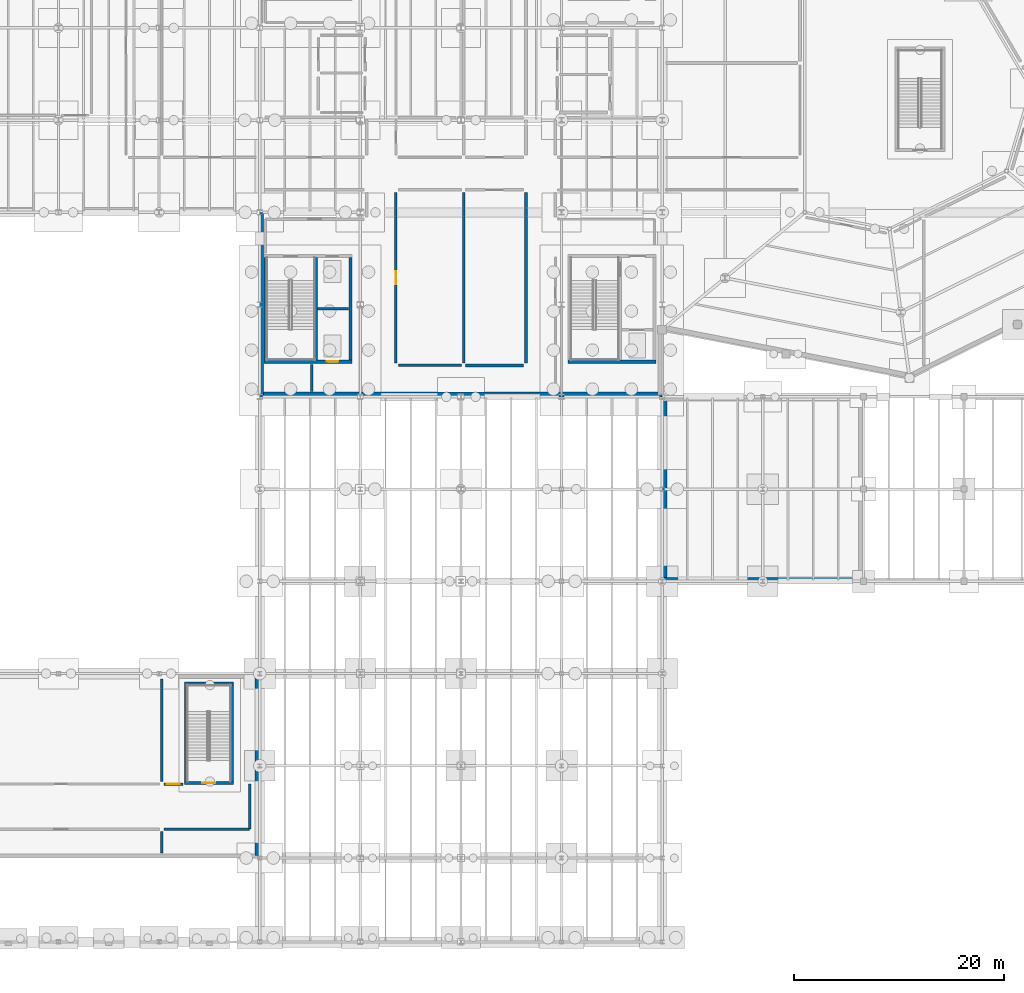
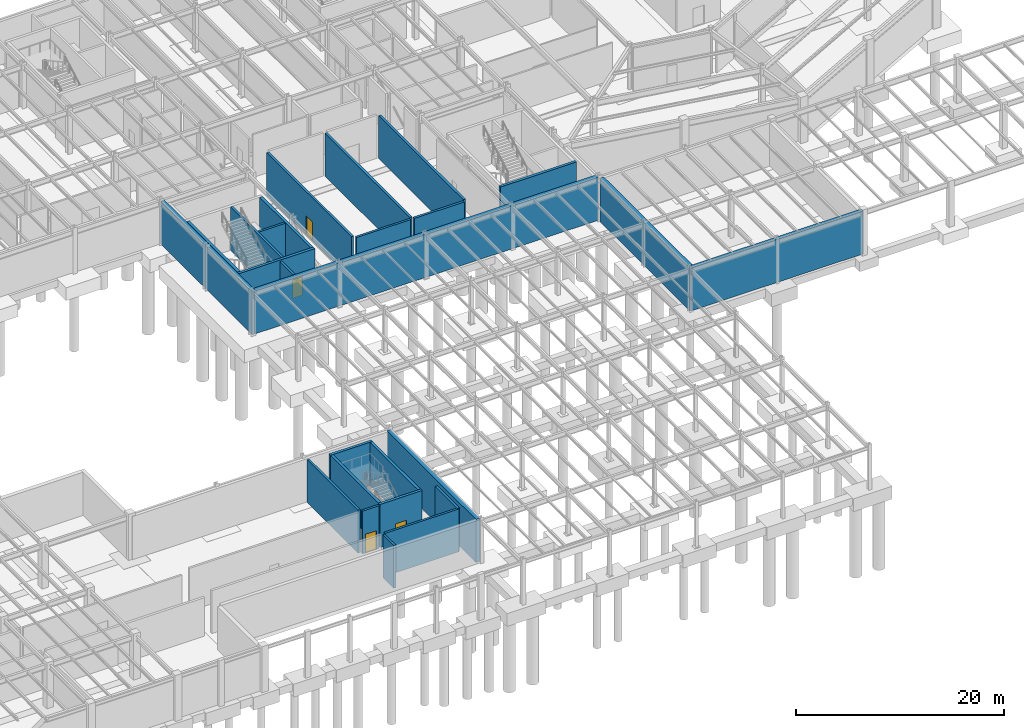
# One storey, part 32 of 48: 26 walls, 4 doors, 4 openings.
"""IFC4 building model written with IfcOpenShell, lengths in metres."""

from ifc_helpers import new_model, si_unit, direction, frame, frame_2d, origin, place, context, subcontext, project, spatial, rectangle, extrude, material, layer, layer_set, type_object, element, fill, save


model = new_model("IFC4")

# Units and contexts
model_context = context("Model", 3, precision=1e-05, world=origin(), true_north=direction((0.0, 1.0)))
body_context = subcontext(model_context, "Body", "Model", "MODEL_VIEW")
ifc_project = project(units=[si_unit("LENGTHUNIT", "METRE"), si_unit("AREAUNIT", "SQUARE_METRE"), si_unit("VOLUMEUNIT", "CUBIC_METRE"), si_unit("PLANEANGLEUNIT", "RADIAN"), si_unit("MASSUNIT", "GRAM", prefix="KILO")], contexts=[model_context])

# Site, building, storey
site_placement = place(None, origin())
site = spatial("IfcSite", under=ifc_project, at=site_placement, CompositionType="ELEMENT")
building_placement = place(site_placement, origin())
building = spatial("IfcBuilding", under=site, at=building_placement, Name="Sarnbrook Museum", CompositionType="ELEMENT")
storey_placement = place(building_placement, frame((0.0, 0.0, -5.39990234375)))
storey = spatial("IfcBuildingStorey", under=building, at=storey_placement, Name="B1", CompositionType="ELEMENT", Elevation=-5.39990234375)

# Wall
ifc_material_1 = material(Name="Concrete N50 (AS 3600, f'c = 50 MPa)", Category="concrete")
ifc_layer_1 = layer(ifc_material_1, 0.300048828125)
ifc_layer_set_1 = layer_set([ifc_layer_1], Name="Concrete N50 (AS 3600, f'c = 50 MPa)")
wall_type_1 = type_object("IfcWallType", Name="CoreWall_CWRC", PredefinedType="SHEAR", material=ifc_layer_set_1)
wall_1_placement = place(storey_placement, frame((110.199951171875, 60.14990234375, 0.0), z_axis=(0.0, 0.0, 1.0), x_axis=(1.0, 0.0, 0.0)))
element("IfcWall", 1, at=wall_1_placement, inside=storey, type_object=wall_type_1, Name="Core C1 Shear Wall S B1", PredefinedType="SHEAR", context=body_context, shape_type="SweptSolid", body=[
    extrude(rectangle(XDim=8.400146484375, YDim=0.300048828125, at=frame_2d((4.2001953125, 0.0))), origin(), (0.0, 0.0, 1.0), 5.094970703125),
])

# Wall, opening, door
wall_2_placement = place(storey_placement, frame((81.199951171875, 60.14990234375, 0.0), z_axis=(0.0, 0.0, 1.0), x_axis=(1.0, 0.0, 0.0)))
wall_2 = element("IfcWall", 2, at=wall_2_placement, inside=storey, type_object=wall_type_1, Name="Core C3 Shear Wall S B1", PredefinedType="SHEAR", context=body_context, shape_type="SweptSolid", body=[
    extrude(rectangle(XDim=8.400146484375, YDim=0.300048828125, at=frame_2d((4.2001953125, 0.0))), origin(), (0.0, 0.0, 1.0), 5.094970703125),
])
opening_1_placement = place(wall_2_placement, frame((6.0, 0.0, 0.0)))
opening_1 = element("IfcOpeningElement", 3, at=opening_1_placement, cuts=wall_2, Name="Opening LD-PL1-B1", PredefinedType="OPENING", context=body_context, shape_type="SweptSolid", body=[
    extrude(rectangle(XDim=1.10009765625, YDim=2.199951171875, at=frame_2d((0.550048828125, 1.10009765625))), frame((0.0, 0.16015625, 0.0), z_axis=(0.0, -1.0, 0.0), x_axis=(1.0, 0.0, 0.0)), (0.0, 0.0, 1.0), 0.320068359375),
])
ifc_material_2 = material(Name="Brushed Stainless Steel Grade 316", Category="steel")
door_type_1 = type_object("IfcDoorType", Name="LiftDoor_Pax110", OperationType="DOUBLE_DOOR_SLIDING", PredefinedType="DOOR", material=ifc_material_2)
door_1_placement = place(opening_1_placement, origin())
door_1 = element("IfcDoor", 4, at=door_1_placement, inside=storey, type_object=door_type_1, Name="Lift Landing Sliding Door LD-PL1-B1", OperationType="DOUBLE_DOOR_SLIDING", OverallHeight=2.199951171875, OverallWidth=1.10009765625, PredefinedType="DOOR", context=body_context, shape_type="SweptSolid", body=[
    extrude(rectangle(XDim=1.10009765625, YDim=2.199951171875, at=frame_2d((0.550048828125, 1.10009765625))), frame((0.0, 0.02490234375, 0.0), z_axis=(0.0, -1.0, 0.0), x_axis=(1.0, 0.0, 0.0)), (0.0, 0.0, 1.0), 0.050048828125),
])
fill(opening_1, door_1)

# Walls
for number, where, z_axis, x_axis, name in (
    (5, (89.449951171875, 60.31005859375, 0.0), (0.0, 0.0, 1.0), (0.0, 1.0, 0.0), "Core C3 Shear Wall E B1"),
    (6, (81.35009765625, 70.090087890625, 0.0), (0.0, 0.0, 1.0), (0.0, -1.0, 0.0), "Core C3 Shear Wall W B1"),
):
    element("IfcWall", number, at=place(storey_placement, frame(where, z_axis=z_axis, x_axis=x_axis)), inside=storey, type_object=wall_type_1, Name=name, PredefinedType="SHEAR", context=body_context, shape_type="SweptSolid", body=[
        extrude(rectangle(XDim=9.780029296875, YDim=0.300048828125, at=frame_2d((4.89013671875, 0.0))), origin(), (0.0, 0.0, 1.0), 5.094970703125),
    ])

# Wall, opening, door
wall_3_placement = place(storey_placement, frame((73.60009765625, 19.949951171875, 0.0), z_axis=(0.0, 0.0, 1.0), x_axis=(1.0, 0.0, 0.0)))
wall_3 = element("IfcWall", 7, at=wall_3_placement, inside=storey, type_object=wall_type_1, Name="Core C8 Shear Wall S B1", PredefinedType="SHEAR", context=body_context, shape_type="SweptSolid", body=[
    extrude(rectangle(XDim=4.679931640625, YDim=0.300048828125, at=frame_2d((2.33984375, 0.0))), origin(), (0.0, 0.0, 1.0), 5.074951171875),
])
opening_2_placement = place(wall_3_placement, frame((1.715087890625, 0.0, 0.0)))
opening_2 = element("IfcOpeningElement", 8, at=opening_2_placement, cuts=wall_3, Name="Opening D-ST-ST8-B1", PredefinedType="OPENING", context=body_context, shape_type="SweptSolid", body=[
    extrude(rectangle(XDim=1.25, YDim=2.199951171875, at=frame_2d((0.625, 1.10009765625))), frame((0.0, 0.16015625, 0.0), z_axis=(0.0, -1.0, 0.0), x_axis=(1.0, 0.0, 0.0)), (0.0, 0.0, 1.0), 0.320068359375),
])
ifc_material_3 = material(Name="Tasmanian Oak Acoustic Timber", Category="wood")
door_type_2 = type_object("IfcDoorType", Name="FireDoor_FD120", OperationType="NOTDEFINED", PredefinedType="DOOR", material=ifc_material_3)
door_2_placement = place(opening_2_placement, origin())
door_2 = element("IfcDoor", 9, at=door_2_placement, inside=storey, type_object=door_type_2, Name="Exit Stair ST8 Fire Door B1", OperationType="SINGLE_SWING_RIGHT", OverallHeight=2.199951171875, OverallWidth=1.25, PredefinedType="DOOR", context=body_context, shape_type="SweptSolid", body=[
    extrude(rectangle(XDim=1.25, YDim=2.199951171875, at=frame_2d((0.625, 1.10009765625))), frame((0.0, 0.02490234375, 0.0), z_axis=(0.0, -1.0, 0.0), x_axis=(1.0, 0.0, 0.0)), (0.0, 0.0, 1.0), 0.050048828125),
])
fill(opening_2, door_2)

# Walls
wall_4_placement = place(storey_placement, frame((78.280029296875, 29.449951171875, 0.0), z_axis=(0.0, 0.0, 1.0), x_axis=(-1.0, 0.0, 0.0)))
element("IfcWall", 10, at=wall_4_placement, inside=storey, type_object=wall_type_1, Name="Core C8 Shear Wall N B1", PredefinedType="SHEAR", context=body_context, shape_type="SweptSolid", body=[
    extrude(rectangle(XDim=4.679931640625, YDim=0.300048828125, at=frame_2d((2.33984375, 0.0))), origin(), (0.0, 0.0, 1.0), 5.074951171875),
])
for number, where, z_axis, x_axis, name in (
    (11, (78.1298828125, 20.110107421875, 0.0), (0.0, 0.0, 1.0), (0.0, 1.0, 0.0), "Core C8 Shear Wall E B1"),
    (12, (73.75, 29.2900390625, 0.0), (0.0, 0.0, 1.0), (0.0, -1.0, 0.0), "Core C8 Shear Wall W B1"),
):
    element("IfcWall", number, at=place(storey_placement, frame(where, z_axis=z_axis, x_axis=x_axis)), inside=storey, type_object=wall_type_1, Name=name, PredefinedType="SHEAR", context=body_context, shape_type="SweptSolid", body=[
        extrude(rectangle(XDim=9.179931640625, YDim=0.300048828125, at=frame_2d((4.58984375, 0.0))), origin(), (0.0, 0.0, 1.0), 5.074951171875),
    ])
ifc_material_4 = material(Name="Concrete N40 (AS 3600, f'c = 40 MPa)", Category="concrete")
ifc_layer_2 = layer(ifc_material_4, 0.260009765625)
ifc_layer_set_2 = layer_set([ifc_layer_2], Name="Concrete N40 (AS 3600, f'c = 40 MPa)")
wall_type_2 = type_object("IfcWallType", Name="FireWall_FW240", PredefinedType="SOLIDWALL", material=ifc_layer_set_2)
wall_5_placement = place(storey_placement, frame((106.199951171875, 76.320068359375, 0.0), z_axis=(0.0, 0.0, 1.0), x_axis=(0.0, -1.0, 0.0)))
element("IfcWall", 13, at=wall_5_placement, inside=storey, type_object=wall_type_2, Name="Interior Partition Wall B1-0052", PredefinedType="SOLIDWALL", context=body_context, shape_type="SweptSolid", body=[
    extrude(rectangle(XDim=16.2900390625, YDim=0.260009765625, at=frame_2d((8.14501953125, 0.0))), origin(), (0.0, 0.0, 1.0), 5.02978515625),
])
wall_6_placement = place(storey_placement, frame((105.969970703125, 59.800048828125, 0.0), z_axis=(0.0, 0.0, 1.0), x_axis=(-1.0, 0.0, 0.0)))
element("IfcWall", 14, at=wall_6_placement, inside=storey, type_object=wall_type_2, Name="Interior Partition Wall B1-0053", PredefinedType="SOLIDWALL", context=body_context, shape_type="SweptSolid", body=[
    extrude(rectangle(XDim=5.52001953125, YDim=0.260009765625, at=frame_2d((2.760009765625, 0.0))), origin(), (0.0, 0.0, 1.0), 5.02978515625),
])
wall_7_placement = place(storey_placement, frame((100.260009765625, 76.320068359375, 0.0), z_axis=(0.0, 0.0, 1.0), x_axis=(0.0, -1.0, 0.0)))
element("IfcWall", 15, at=wall_7_placement, inside=storey, type_object=wall_type_2, Name="Interior Partition Wall B1-0121", PredefinedType="SOLIDWALL", context=body_context, shape_type="SweptSolid", body=[
    extrude(rectangle(XDim=16.2900390625, YDim=0.260009765625, at=frame_2d((8.14501953125, 0.0))), origin(), (0.0, 0.0, 1.0), 5.02978515625),
])
ifc_layer_3 = layer(ifc_material_4, 0.239990234375)
ifc_layer_set_3 = layer_set([ifc_layer_3], Name="Concrete N40 (AS 3600, f'c = 40 MPa)")
wall_type_3 = type_object("IfcWallType", Name="ShaftWall_SWRC", PredefinedType="SOLIDWALL", material=ifc_layer_set_3)
wall_8_placement = place(storey_placement, frame((86.18994140625, 60.31005859375, 0.0), z_axis=(0.0, 0.0, 1.0), x_axis=(0.0, 1.0, 0.0)))
element("IfcWall", 16, at=wall_8_placement, inside=storey, type_object=wall_type_3, Name="Stairwell ST3 Fire Shaft Wall B1", PredefinedType="SOLIDWALL", context=body_context, shape_type="SweptSolid", body=[
    extrude(rectangle(XDim=9.780029296875, YDim=0.239990234375, at=frame_2d((4.89013671875, 0.0))), origin(), (0.0, 0.0, 1.0), 5.094970703125),
])
wall_9_placement = place(storey_placement, frame((86.320068359375, 65.199951171875, 0.0), z_axis=(0.0, 0.0, 1.0), x_axis=(1.0, 0.0, 0.0)))
element("IfcWall", 17, at=wall_9_placement, inside=storey, type_object=wall_type_3, Name="Core C3 Twin Lift Divider Wall B1", PredefinedType="SOLIDWALL", context=body_context, shape_type="SweptSolid", body=[
    extrude(rectangle(XDim=2.969970703125, YDim=0.239990234375, at=frame_2d((1.48486328125, 0.0))), origin(), (0.0, 0.0, 1.0), 5.094970703125),
])
wall_10_placement = place(storey_placement, frame((85.75, 59.8798828125, 0.0), z_axis=(0.0, 0.0, 1.0), x_axis=(0.0, -1.0, 0.0)))
element("IfcWall", 18, at=wall_10_placement, inside=storey, type_object=wall_type_3, Name="Interior Partition Wall B1-0031", PredefinedType="SOLIDWALL", context=body_context, shape_type="SweptSolid", body=[
    extrude(rectangle(XDim=2.5498046875, YDim=0.239990234375, at=frame_2d((1.27490234375, 0.0))), origin(), (0.0, 0.0, 1.0), 5.02978515625),
])

# Wall, opening, door
wall_11_placement = place(storey_placement, frame((93.800048828125, 60.030029296875, 0.0), z_axis=(0.0, 0.0, 1.0), x_axis=(0.0, 1.0, 0.0)))
wall_11 = element("IfcWall", 19, at=wall_11_placement, inside=storey, type_object=wall_type_3, Name="Interior Partition Wall B1-0041", PredefinedType="SOLIDWALL", context=body_context, shape_type="SweptSolid", body=[
    extrude(rectangle(XDim=16.2900390625, YDim=0.239990234375, at=frame_2d((8.14501953125, 0.0))), origin(), (0.0, 0.0, 1.0), 5.02978515625),
])
opening_3_placement = place(wall_11_placement, frame((7.52001953125, 0.0, 0.0)))
opening_3 = element("IfcOpeningElement", 20, at=opening_3_placement, cuts=wall_11, Name="Opening D-B1-014", PredefinedType="OPENING", context=body_context, shape_type="SweptSolid", body=[
    extrude(rectangle(XDim=1.25, YDim=2.199951171875, at=frame_2d((0.625, 1.10009765625))), frame((0.0, 0.1298828125, 0.0), z_axis=(0.0, -1.0, 0.0), x_axis=(1.0, 0.0, 0.0)), (0.0, 0.0, 1.0), 0.260009765625),
])
door_3_placement = place(opening_3_placement, origin())
door_3 = element("IfcDoor", 21, at=door_3_placement, inside=storey, type_object=door_type_2, Name="Art Loading Dock B1-9 Door D-B1-014", OperationType="SINGLE_SWING_LEFT", OverallHeight=2.199951171875, OverallWidth=1.25, PredefinedType="DOOR", context=body_context, shape_type="SweptSolid", body=[
    extrude(rectangle(XDim=1.25, YDim=2.199951171875, at=frame_2d((0.625, 1.10009765625))), frame((0.0, 0.02490234375, 0.0), z_axis=(0.0, -1.0, 0.0), x_axis=(1.0, 0.0, 0.0)), (0.0, 0.0, 1.0), 0.050048828125),
])
fill(opening_3, door_3)

# Walls
wall_12_placement = place(storey_placement, frame((100.030029296875, 59.800048828125, 0.0), z_axis=(0.0, 0.0, 1.0), x_axis=(-1.0, 0.0, 0.0)))
element("IfcWall", 22, at=wall_12_placement, inside=storey, type_object=wall_type_3, Name="Interior Partition Wall B1-0043", PredefinedType="SOLIDWALL", context=body_context, shape_type="SweptSolid", body=[
    extrude(rectangle(XDim=6.0, YDim=0.239990234375, at=frame_2d((3.0, 0.0))), origin(), (0.0, 0.0, 1.0), 5.02978515625),
])
wall_13_placement = place(storey_placement, frame((79.85009765625, 15.56005859375, 0.0), z_axis=(0.0, 0.0, 1.0), x_axis=(0.0, 1.0, 0.0)))
element("IfcWall", 23, at=wall_13_placement, inside=storey, type_object=wall_type_3, Name="Interior Partition Wall B1-0064", PredefinedType="SOLIDWALL", context=body_context, shape_type="SweptSolid", body=[
    extrude(rectangle(XDim=4.280029296875, YDim=0.239990234375, at=frame_2d((2.14013671875, 0.0))), origin(), (0.0, 0.0, 1.0), 5.02978515625),
])

# Wall, opening, door
wall_14_placement = place(storey_placement, frame((73.47998046875, 19.85009765625, 0.0), z_axis=(0.0, 0.0, 1.0), x_axis=(-1.0, 0.0, 0.0)))
wall_14 = element("IfcWall", 24, at=wall_14_placement, inside=storey, type_object=wall_type_3, Name="Interior Partition Wall B1-0065", PredefinedType="SOLIDWALL", context=body_context, shape_type="SweptSolid", body=[
    extrude(rectangle(XDim=1.830078125, YDim=0.239990234375, at=frame_2d((0.9150390625, 0.0))), origin(), (0.0, 0.0, 1.0), 5.02978515625),
])
opening_4_placement = place(wall_14_placement, frame((0.2900390625, 0.0, 0.0)))
opening_4 = element("IfcOpeningElement", 25, at=opening_4_placement, cuts=wall_14, Name="Opening D-B1-022", PredefinedType="OPENING", context=body_context, shape_type="SweptSolid", body=[
    extrude(rectangle(XDim=1.25, YDim=2.199951171875, at=frame_2d((0.625, 1.10009765625))), frame((0.0, 0.1298828125, 0.0), z_axis=(0.0, -1.0, 0.0), x_axis=(1.0, 0.0, 0.0)), (0.0, 0.0, 1.0), 0.260009765625),
])
door_4_placement = place(opening_4_placement, frame((1.25, 0.0, 0.0), z_axis=(0.0, 0.0, 1.0), x_axis=(-1.0, 0.0, 0.0)))
door_4 = element("IfcDoor", 26, at=door_4_placement, inside=storey, type_object=door_type_2, Name="Art Loading Dock B1-18 Door D-B1-022", OperationType="SINGLE_SWING_LEFT", OverallHeight=2.199951171875, OverallWidth=1.25, PredefinedType="DOOR", context=body_context, shape_type="SweptSolid", body=[
    extrude(rectangle(XDim=1.25, YDim=2.199951171875, at=frame_2d((0.625, 1.10009765625))), frame((0.0, 0.02490234375, 0.0), z_axis=(0.0, -1.0, 0.0), x_axis=(1.0, 0.0, 0.0)), (0.0, 0.0, 1.0), 0.050048828125),
])
fill(opening_4, door_4)

# Walls
wall_15_placement = place(storey_placement, frame((71.64990234375, 15.550048828125, 0.0), z_axis=(0.0, 0.0, 1.0), x_axis=(1.0, 0.0, 0.0)))
element("IfcWall", 27, at=wall_15_placement, inside=storey, type_object=wall_type_3, Name="Interior Partition Wall B1-0066", PredefinedType="SOLIDWALL", context=body_context, shape_type="SweptSolid", body=[
    extrude(rectangle(XDim=8.190185546875, YDim=0.239990234375, at=frame_2d((4.09521484375, 0.0))), origin(), (0.0, 0.0, 1.0), 5.02978515625),
])
wall_16_placement = place(storey_placement, frame((71.4599609375, 15.320068359375, 0.0), z_axis=(0.0, 0.0, 1.0), x_axis=(0.0, -1.0, 0.0)))
element("IfcWall", 28, at=wall_16_placement, inside=storey, type_object=wall_type_3, Name="Interior Partition Wall B1-0125", PredefinedType="SOLIDWALL", context=body_context, shape_type="SweptSolid", body=[
    extrude(rectangle(XDim=2.06005859375, YDim=0.239990234375, at=frame_2d((1.030029296875, 0.0))), origin(), (0.0, 0.0, 1.0), 5.02978515625),
])
wall_17_placement = place(storey_placement, frame((71.4599609375, 29.8701171875, 0.0), z_axis=(0.0, 0.0, 1.0), x_axis=(0.0, -1.0, 0.0)))
element("IfcWall", 29, at=wall_17_placement, inside=storey, type_object=wall_type_3, Name="Interior Partition Wall B1-0126", PredefinedType="SOLIDWALL", context=body_context, shape_type="SweptSolid", body=[
    extrude(rectangle(XDim=9.7900390625, YDim=0.239990234375, at=frame_2d((4.89501953125, 0.0))), origin(), (0.0, 0.0, 1.0), 5.02978515625),
])
ifc_layer_4 = layer(ifc_material_4, 0.3798828125)
ifc_layer_set_4 = layer_set([ifc_layer_4], Name="Concrete N40 (AS 3600, f'c = 40 MPa)")
wall_type_4 = type_object("IfcWallType", Name="Wall_RetainingRC380", PredefinedType="USERDEFINED", material=ifc_layer_set_4)
wall_18_placement = place(storey_placement, frame((80.989990234375, 74.39990234375, 0.0), z_axis=(0.0, 0.0, 1.0), x_axis=(0.0, -1.0, 0.0)))
element("IfcWall", 30, at=wall_18_placement, inside=storey, type_object=wall_type_4, Name="Basement Perimeter Retaining Wall RW-06", ObjectType="RETAININGWALL", PredefinedType="USERDEFINED", context=body_context, shape_type="SweptSolid", body=[
    extrude(rectangle(XDim=17.599853515625, YDim=0.3798828125, at=frame_2d((8.7998046875, 0.0))), origin(), (0.0, 0.0, 1.0), 5.059814453125),
])
wall_19_placement = place(storey_placement, frame((119.39599609375, 39.389892578125, 0.0), z_axis=(0.0, 0.0, 1.0), x_axis=(1.0, 0.0, 0.0)))
element("IfcWall", 31, at=wall_19_placement, inside=storey, type_object=wall_type_4, Name="Basement Perimeter Retaining Wall RW-30", ObjectType="RETAININGWALL", PredefinedType="USERDEFINED", context=body_context, shape_type="SweptSolid", body=[
    extrude(rectangle(XDim=19.00390625, YDim=0.3798828125, at=frame_2d((9.501953125, 0.0))), origin(), (0.0, 0.0, 1.0), 5.059814453125),
])
ifc_layer_5 = layer(ifc_material_4, 0.449951171875)
ifc_layer_set_5 = layer_set([ifc_layer_5], Name="Concrete N40 (AS 3600, f'c = 40 MPa)")
wall_type_5 = type_object("IfcWallType", Name="Wall_RetainingRC450", PredefinedType="USERDEFINED", material=ifc_layer_set_5)
wall_20_placement = place(storey_placement, frame((81.031005859375, 57.02490234375, 0.0), z_axis=(0.0, 0.0, 1.0), x_axis=(1.0, 0.0, 0.0)))
element("IfcWall", 32, at=wall_20_placement, inside=storey, type_object=wall_type_5, Name="Basement Perimeter Retaining Wall RW-07", ObjectType="RETAININGWALL", PredefinedType="USERDEFINED", context=body_context, shape_type="SweptSolid", body=[
    extrude(rectangle(XDim=38.1689453125, YDim=0.449951171875, at=frame_2d((19.08447265625, 0.0))), origin(), (0.0, 0.0, 1.0), 5.059814453125),
])
wall_21_placement = place(storey_placement, frame((80.574951171875, 13.031005859375, 0.0), z_axis=(0.0, 0.0, 1.0), x_axis=(0.0, 1.0, 0.0)))
element("IfcWall", 33, at=wall_21_placement, inside=storey, type_object=wall_type_5, Name="Basement Perimeter Retaining Wall RW-27", ObjectType="RETAININGWALL", PredefinedType="USERDEFINED", context=body_context, shape_type="SweptSolid", body=[
    extrude(rectangle(XDim=17.137939453125, YDim=0.449951171875, at=frame_2d((8.56884765625, 0.0))), origin(), (0.0, 0.0, 1.0), 5.059814453125),
])
wall_22_placement = place(storey_placement, frame((119.425048828125, 56.569091796875, 0.0), z_axis=(0.0, 0.0, 1.0), x_axis=(0.0, -1.0, 0.0)))
element("IfcWall", 34, at=wall_22_placement, inside=storey, type_object=wall_type_5, Name="Basement Perimeter Retaining Wall RW-29", ObjectType="RETAININGWALL", PredefinedType="USERDEFINED", context=body_context, shape_type="SweptSolid", body=[
    extrude(rectangle(XDim=17.369140625, YDim=0.449951171875, at=frame_2d((8.6845703125, 0.0))), origin(), (0.0, 0.0, 1.0), 5.059814453125),
])

save(model, "model.ifc")
